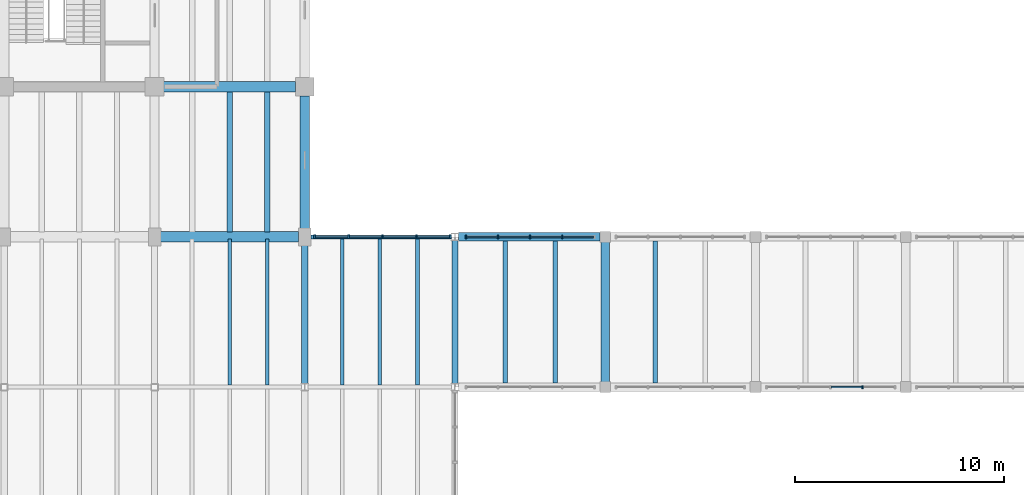
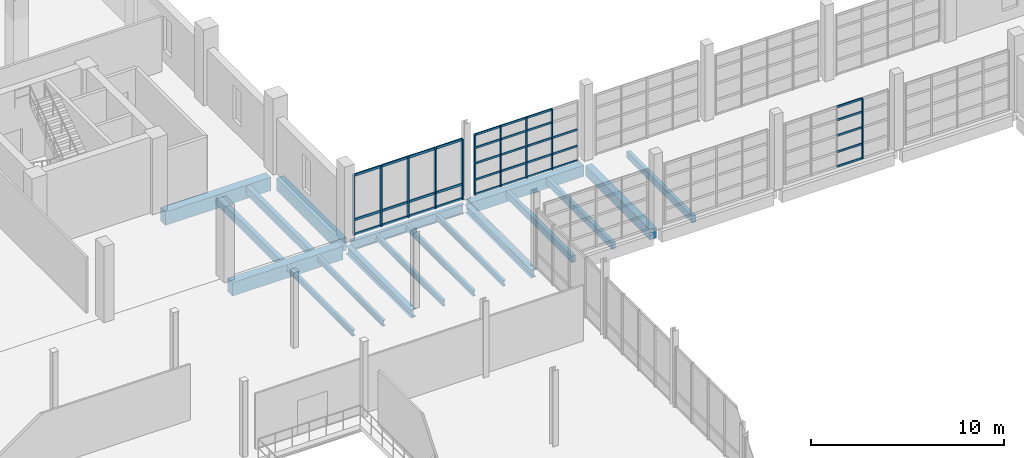
# One storey, part 39 of 77: 45 members, 18 beams, 3 elements without a shape of their own.
"""IFC4 building model written with IfcOpenShell, lengths in metres."""

from ifc_helpers import new_model, si_unit, direction, frame, origin, origin_2d, place, context, subcontext, project, spatial, rectangle, i_section, extrude, material, material_profile, profile_set, type_object, element, aggregate, save


model = new_model("IFC4")

# Units and contexts
model_context = context("Model", 3, precision=1e-05, world=origin(), true_north=direction((0.0, 1.0)))
body_context = subcontext(model_context, "Body", "Model", "MODEL_VIEW")
ifc_project = project(units=[si_unit("LENGTHUNIT", "METRE"), si_unit("AREAUNIT", "SQUARE_METRE"), si_unit("VOLUMEUNIT", "CUBIC_METRE"), si_unit("PLANEANGLEUNIT", "RADIAN"), si_unit("MASSUNIT", "GRAM", prefix="KILO")], contexts=[model_context])

# Site, building, storey
site_placement = place(None, origin())
site = spatial("IfcSite", under=ifc_project, at=site_placement, CompositionType="ELEMENT")
building_placement = place(site_placement, origin())
building = spatial("IfcBuilding", under=site, at=building_placement, Name="Qiaolan Assembly House", CompositionType="ELEMENT")
storey_placement = place(building_placement, frame((0.0, 0.0, 5.39990234375)))
storey = spatial("IfcBuildingStorey", under=building, at=storey_placement, Name="L01", CompositionType="ELEMENT", Elevation=5.39990234375)

# Beams
ifc_material_1 = material(Name="Concrete C40/50", Category="concrete")
ifc_material_profile_1 = material_profile(ifc_material_1, rectangle(XDim=0.39990234375, YDim=0.64990234375, at=origin_2d()), Name="RCB 400x650")
ifc_profile_set_1 = profile_set([ifc_material_profile_1], Name="Concrete C40/50")
beam_type_1 = type_object("IfcBeamType", Name="BM-RC-400x650", PredefinedType="BEAM", material=ifc_profile_set_1)
beam_1_placement = place(storey_placement, frame((115.199951171875, 79.449951171875, -0.594970703125), z_axis=(0.0, 1.0, 0.0), x_axis=(-1.0, 0.0, 0.0)))
element("IfcBeam", 1, at=beam_1_placement, inside=storey, type_object=beam_type_1, Name="GB-06 beam BMY-CLN-L01-01-00", PredefinedType="BEAM", context=body_context, shape_type="SweptSolid", body=[
    extrude(rectangle(XDim=0.39990234375, YDim=0.64990234375, at=origin_2d()), origin(), (0.0, 0.0, 1.0), 6.699951171875),
])
ifc_material_profile_2 = material_profile(ifc_material_1, rectangle(XDim=0.39990234375, YDim=0.699951171875, at=origin_2d()), Name="RCB 400x700")
ifc_profile_set_2 = profile_set([ifc_material_profile_2], Name="Concrete C40/50")
beam_type_2 = type_object("IfcBeamType", Name="BM-RC-400x700", PredefinedType="BEAM", material=ifc_profile_set_2)
beam_2_placement = place(storey_placement, frame((108.1650390625, 86.39990234375, -0.619873046875), z_axis=(1.0, 0.0, 0.0), x_axis=(0.0, 1.0, 0.0)))
element("IfcBeam", 2, at=beam_2_placement, inside=storey, type_object=beam_type_2, Name="GB-05 beam BMX-CLN-L01-00-01", PredefinedType="BEAM", context=body_context, shape_type="SweptSolid", body=[
    extrude(rectangle(XDim=0.39990234375, YDim=0.699951171875, at=origin_2d()), origin(), (0.0, 0.0, 1.0), 6.784912109375),
])
ifc_material_profile_3 = material_profile(ifc_material_1, rectangle(XDim=0.449951171875, YDim=0.800048828125, at=origin_2d()), Name="RCB 450x800")
ifc_profile_set_3 = profile_set([ifc_material_profile_3], Name="Concrete C40/50")
beam_type_3 = type_object("IfcBeamType", Name="BM-RC-450x800", PredefinedType="BEAM", material=ifc_profile_set_3)
beam_3_placement = place(storey_placement, frame((100.800048828125, 86.68994140625, -0.64990234375), z_axis=(0.0, 1.0, 0.0), x_axis=(-1.0, 0.0, 0.0)))
element("IfcBeam", 3, at=beam_3_placement, inside=storey, type_object=beam_type_3, Name="GB-03 beam BMY-NW-L01-09-00", PredefinedType="BEAM", context=body_context, shape_type="SweptSolid", body=[
    extrude(rectangle(XDim=0.449951171875, YDim=0.800048828125, at=origin_2d()), origin(), (0.0, 0.0, 1.0), 6.469970703125),
])
ifc_material_2 = material(Name="Concrete C45/55", Category="concrete")
ifc_material_profile_4 = material_profile(ifc_material_2, rectangle(XDim=0.5, YDim=0.85009765625, at=origin_2d()), Name="RCB 500x850")
ifc_profile_set_4 = profile_set([ifc_material_profile_4], Name="Concrete C45/55")
beam_type_4 = type_object("IfcBeamType", Name="BM-RC-500x850", PredefinedType="BEAM", material=ifc_profile_set_4)
beam_4_placement = place(storey_placement, frame((93.889892578125, 86.39990234375, -0.724853515625), z_axis=(1.0, 0.0, 0.0), x_axis=(0.0, 1.0, 0.0)))
element("IfcBeam", 4, at=beam_4_placement, inside=storey, type_object=beam_type_4, Name="GB-02 beam BMX-NW-L01-08-00", PredefinedType="BEAM", context=body_context, shape_type="SweptSolid", body=[
    extrude(rectangle(XDim=0.5, YDim=0.85009765625, at=origin_2d()), origin(), (0.0, 0.0, 1.0), 6.6201171875),
])
beam_5_placement = place(storey_placement, frame((94.0400390625, 93.60009765625, -0.6748046875), z_axis=(1.0, 0.0, 0.0), x_axis=(0.0, 1.0, 0.0)))
element("IfcBeam", 5, at=beam_5_placement, inside=storey, type_object=beam_type_4, Name="GB-02 beam BMX-NW-L01-08-01", PredefinedType="BEAM", context=body_context, shape_type="SweptSolid", body=[
    extrude(rectangle(XDim=0.5, YDim=0.85009765625, at=origin_2d()), origin(), (0.0, 0.0, 1.0), 6.320068359375),
])
ifc_material_3 = material(Name="Steel Q355B", Category="steel")
ifc_material_profile_5 = material_profile(ifc_material_3, i_section(OverallWidth=0.300048828125, OverallDepth=0.488037109375, WebThickness=0.010986328125, FlangeThickness=0.01806640625, FilletRadius=0.02001953125, at=origin_2d()), Name="HM 488x300x11x18")
ifc_profile_set_5 = profile_set([ifc_material_profile_5], Name="Steel Q355B")
beam_type_5 = type_object("IfcBeamType", Name="BM-STL-HM488", PredefinedType="BEAM", material=ifc_profile_set_5)
beam_6_placement = place(storey_placement, frame((100.800048828125, 79.364990234375, -0.5439453125), z_axis=(0.0, 1.0, 0.0), x_axis=(-1.0, 0.0, 0.0)))
element("IfcBeam", 6, at=beam_6_placement, inside=storey, type_object=beam_type_5, Name="SB-04 beam BMY-HL-L01-11-06", PredefinedType="BEAM", context=body_context, shape_type="SweptSolid", body=[
    extrude(i_section(OverallWidth=0.300048828125, OverallDepth=0.488037109375, WebThickness=0.010986328125, FlangeThickness=0.01806640625, FilletRadius=0.02001953125, at=origin_2d()), origin(), (0.0, 0.0, 1.0), 6.7451171875),
])
beam_7_placement = place(storey_placement, frame((108.0, 79.364990234375, -0.5439453125), z_axis=(0.0, 1.0, 0.0), x_axis=(-1.0, 0.0, 0.0)))
element("IfcBeam", 7, at=beam_7_placement, inside=storey, type_object=beam_type_5, Name="SB-04 beam BMY-HL-L01-12-06", PredefinedType="BEAM", context=body_context, shape_type="SweptSolid", body=[
    extrude(i_section(OverallWidth=0.300048828125, OverallDepth=0.488037109375, WebThickness=0.010986328125, FlangeThickness=0.01806640625, FilletRadius=0.02001953125, at=origin_2d()), origin(), (0.0, 0.0, 1.0), 6.8701171875),
])
ifc_material_profile_6 = material_profile(ifc_material_3, i_section(OverallWidth=0.199951171875, OverallDepth=0.60009765625, WebThickness=0.010986328125, FlangeThickness=0.01708984375, FilletRadius=0.02001953125, at=origin_2d()), Name="HN 600x200x11x17")
ifc_profile_set_6 = profile_set([ifc_material_profile_6], Name="Steel Q355B")
beam_type_6 = type_object("IfcBeamType", Name="BM-STL-HN600", PredefinedType="BEAM", material=ifc_profile_set_6)
beam_8_placement = place(storey_placement, frame((101.090087890625, 86.39990234375, -0.599853515625), z_axis=(1.0, 0.0, 0.0), x_axis=(0.0, 1.0, 0.0)))
element("IfcBeam", 8, at=beam_8_placement, inside=storey, type_object=beam_type_6, Name="SB-03 beam BMX-HL-L01-11-07", PredefinedType="BEAM", context=body_context, shape_type="SweptSolid", body=[
    extrude(i_section(OverallWidth=0.199951171875, OverallDepth=0.60009765625, WebThickness=0.010986328125, FlangeThickness=0.01708984375, FilletRadius=0.02001953125, at=origin_2d()), origin(), (0.0, 0.0, 1.0), 6.744873046875),
])

# Curtain wall, members
ifc_material_4 = material(Name="Anodised bronze aluminium", Category="aluminium")
curtain_wall_type_1 = type_object("IfcCurtainWallType", Name="CW-CLOISTER-420", PredefinedType="NOTDEFINED", material=ifc_material_4)
curtain_wall_1_placement = place(storey_placement, origin())
curtain_wall_1 = element("IfcCurtainWall", 9, at=curtain_wall_1_placement, inside=storey, type_object=curtain_wall_type_1, Name="CW-05 North Cloister outer arcade L01-1", PredefinedType="NOTDEFINED")
ifc_material_profile_7 = material_profile(ifc_material_4, rectangle(XDim=0.070068359375, YDim=0.155029296875, at=origin_2d()), Name="MUL 70x155")
ifc_profile_set_7 = profile_set([ifc_material_profile_7], Name="Anodised bronze aluminium")
member_type_1 = type_object("IfcMemberType", Name="CW-CLOISTER-420-MUL", PredefinedType="MULLION", material=ifc_profile_set_7)
member_1_placement = place(storey_placement, frame((113.139892578125, 86.39990234375, 0.0), z_axis=(0.0, 0.0, 1.0), x_axis=(-1.0, 0.0, 0.0)))
member_1 = element("IfcMember", 10, at=member_1_placement, type_object=member_type_1, Name="ML-06 mullion CW-CLN-OUT-L01-0-2", PredefinedType="MULLION", context=body_context, shape_type="SweptSolid", body=[
    extrude(rectangle(XDim=0.070068359375, YDim=0.155029296875, at=origin_2d()), origin(), (0.0, 0.0, 1.0), 3.820068359375),
])
member_2_placement = place(storey_placement, frame((111.60009765625, 86.39990234375, 0.0), z_axis=(0.0, 0.0, 1.0), x_axis=(-1.0, 0.0, 0.0)))
member_2 = element("IfcMember", 11, at=member_2_placement, type_object=member_type_1, Name="ML-06 mullion CW-CLN-OUT-L01-0-3", PredefinedType="MULLION", context=body_context, shape_type="SweptSolid", body=[
    extrude(rectangle(XDim=0.070068359375, YDim=0.155029296875, at=origin_2d()), origin(), (0.0, 0.0, 1.0), 3.820068359375),
])
member_3_placement = place(storey_placement, frame((110.06005859375, 86.39990234375, 0.0), z_axis=(0.0, 0.0, 1.0), x_axis=(-1.0, 0.0, 0.0)))
member_3 = element("IfcMember", 12, at=member_3_placement, type_object=member_type_1, Name="ML-06 mullion CW-CLN-OUT-L01-0-4", PredefinedType="MULLION", context=body_context, shape_type="SweptSolid", body=[
    extrude(rectangle(XDim=0.070068359375, YDim=0.155029296875, at=origin_2d()), origin(), (0.0, 0.0, 1.0), 3.820068359375),
])
member_4_placement = place(storey_placement, frame((108.52001953125, 86.39990234375, 0.0), z_axis=(0.0, 0.0, 1.0), x_axis=(-1.0, 0.0, 0.0)))
member_4 = element("IfcMember", 13, at=member_4_placement, type_object=member_type_1, Name="ML-06 mullion CW-CLN-OUT-L01-0-5", PredefinedType="MULLION", context=body_context, shape_type="SweptSolid", body=[
    extrude(rectangle(XDim=0.070068359375, YDim=0.155029296875, at=origin_2d()), origin(), (0.0, 0.0, 1.0), 3.820068359375),
])

# Curtain wall, member
curtain_wall_2_placement = place(storey_placement, origin())
curtain_wall_2 = element("IfcCurtainWall", 14, at=curtain_wall_2_placement, inside=storey, type_object=curtain_wall_type_1, Name="CW-05 North Cloister court arcade L01-3", PredefinedType="NOTDEFINED")
member_5_placement = place(storey_placement, frame((127.5400390625, 79.199951171875, 0.0), z_axis=(0.0, 0.0, 1.0), x_axis=(1.0, 0.0, 0.0)))
member_5 = element("IfcMember", 15, at=member_5_placement, type_object=member_type_1, Name="ML-06 mullion CW-CLN-CRT-L01-2-4", PredefinedType="MULLION", context=body_context, shape_type="SweptSolid", body=[
    extrude(rectangle(XDim=0.070068359375, YDim=0.155029296875, at=origin_2d()), origin(), (0.0, 0.0, 1.0), 3.820068359375),
])

# Member
ifc_material_profile_8 = material_profile(ifc_material_4, rectangle(XDim=0.06201171875, YDim=0.125, at=origin_2d()), Name="TRN 62x125")
ifc_profile_set_8 = profile_set([ifc_material_profile_8], Name="Anodised bronze aluminium")
member_type_2 = type_object("IfcMemberType", Name="CW-CLOISTER-420-TRN", PredefinedType="USERDEFINED", material=ifc_profile_set_8)
member_6_placement = place(storey_placement, frame((114.64501953125, 86.39990234375, 0.030029296875), z_axis=(-1.0, 0.0, 0.0), x_axis=(0.0, -1.0, 0.0)))
member_6 = element("IfcMember", 16, at=member_6_placement, type_object=member_type_2, Name="TR-06 transom CW-CLN-OUT-L01-0-1-1", ObjectType="TRANSOM", PredefinedType="USERDEFINED", context=body_context, shape_type="SweptSolid", body=[
    extrude(rectangle(XDim=0.06201171875, YDim=0.125, at=origin_2d()), origin(), (0.0, 0.0, 1.0), 1.469970703125),
])

member_7_placement = place(storey_placement, frame((114.64501953125, 86.39990234375, 0.9501953125), z_axis=(-1.0, 0.0, 0.0), x_axis=(0.0, -1.0, 0.0)))
member_7 = element("IfcMember", 17, at=member_7_placement, type_object=member_type_2, Name="TR-06 transom CW-CLN-OUT-L01-0-1-2", ObjectType="TRANSOM", PredefinedType="USERDEFINED", context=body_context, shape_type="SweptSolid", body=[
    extrude(rectangle(XDim=0.06201171875, YDim=0.125, at=origin_2d()), origin(), (0.0, 0.0, 1.0), 1.469970703125),
])

member_8_placement = place(storey_placement, frame((114.64501953125, 86.39990234375, 1.986572265625), z_axis=(-1.0, 0.0, 0.0), x_axis=(0.0, -1.0, 0.0)))
member_8 = element("IfcMember", 18, at=member_8_placement, type_object=member_type_2, Name="TR-06 transom CW-CLN-OUT-L01-0-1-3", ObjectType="TRANSOM", PredefinedType="USERDEFINED", context=body_context, shape_type="SweptSolid", body=[
    extrude(rectangle(XDim=0.06201171875, YDim=0.125, at=origin_2d()), origin(), (0.0, 0.0, 1.0), 1.469970703125),
])

member_9_placement = place(storey_placement, frame((113.10498046875, 86.39990234375, 0.030029296875), z_axis=(-1.0, 0.0, 0.0), x_axis=(0.0, -1.0, 0.0)))
member_9 = element("IfcMember", 19, at=member_9_placement, type_object=member_type_2, Name="TR-06 transom CW-CLN-OUT-L01-0-2-1", ObjectType="TRANSOM", PredefinedType="USERDEFINED", context=body_context, shape_type="SweptSolid", body=[
    extrude(rectangle(XDim=0.06201171875, YDim=0.125, at=origin_2d()), origin(), (0.0, 0.0, 1.0), 1.469970703125),
])

member_10_placement = place(storey_placement, frame((113.10498046875, 86.39990234375, 0.9501953125), z_axis=(-1.0, 0.0, 0.0), x_axis=(0.0, -1.0, 0.0)))
member_10 = element("IfcMember", 20, at=member_10_placement, type_object=member_type_2, Name="TR-06 transom CW-CLN-OUT-L01-0-2-2", ObjectType="TRANSOM", PredefinedType="USERDEFINED", context=body_context, shape_type="SweptSolid", body=[
    extrude(rectangle(XDim=0.06201171875, YDim=0.125, at=origin_2d()), origin(), (0.0, 0.0, 1.0), 1.469970703125),
])

member_11_placement = place(storey_placement, frame((113.10498046875, 86.39990234375, 1.986572265625), z_axis=(-1.0, 0.0, 0.0), x_axis=(0.0, -1.0, 0.0)))
member_11 = element("IfcMember", 21, at=member_11_placement, type_object=member_type_2, Name="TR-06 transom CW-CLN-OUT-L01-0-2-3", ObjectType="TRANSOM", PredefinedType="USERDEFINED", context=body_context, shape_type="SweptSolid", body=[
    extrude(rectangle(XDim=0.06201171875, YDim=0.125, at=origin_2d()), origin(), (0.0, 0.0, 1.0), 1.469970703125),
])

member_12_placement = place(storey_placement, frame((113.10498046875, 86.39990234375, 2.97021484375), z_axis=(-1.0, 0.0, 0.0), x_axis=(0.0, -1.0, 0.0)))
member_12 = element("IfcMember", 22, at=member_12_placement, type_object=member_type_2, Name="TR-06 transom CW-CLN-OUT-L01-0-2-4", ObjectType="TRANSOM", PredefinedType="USERDEFINED", context=body_context, shape_type="SweptSolid", body=[
    extrude(rectangle(XDim=0.06201171875, YDim=0.125, at=origin_2d()), origin(), (0.0, 0.0, 1.0), 1.469970703125),
])

member_13_placement = place(storey_placement, frame((113.10498046875, 86.39990234375, 3.7900390625), z_axis=(-1.0, 0.0, 0.0), x_axis=(0.0, -1.0, 0.0)))
member_13 = element("IfcMember", 23, at=member_13_placement, type_object=member_type_2, Name="TR-06 transom CW-CLN-OUT-L01-0-2-5", ObjectType="TRANSOM", PredefinedType="USERDEFINED", context=body_context, shape_type="SweptSolid", body=[
    extrude(rectangle(XDim=0.06201171875, YDim=0.125, at=origin_2d()), origin(), (0.0, 0.0, 1.0), 1.469970703125),
])

member_14_placement = place(storey_placement, frame((111.56494140625, 86.39990234375, 0.030029296875), z_axis=(-1.0, 0.0, 0.0), x_axis=(0.0, -1.0, 0.0)))
member_14 = element("IfcMember", 24, at=member_14_placement, type_object=member_type_2, Name="TR-06 transom CW-CLN-OUT-L01-0-3-1", ObjectType="TRANSOM", PredefinedType="USERDEFINED", context=body_context, shape_type="SweptSolid", body=[
    extrude(rectangle(XDim=0.06201171875, YDim=0.125, at=origin_2d()), origin(), (0.0, 0.0, 1.0), 1.469970703125),
])

member_15_placement = place(storey_placement, frame((111.56494140625, 86.39990234375, 0.9501953125), z_axis=(-1.0, 0.0, 0.0), x_axis=(0.0, -1.0, 0.0)))
member_15 = element("IfcMember", 25, at=member_15_placement, type_object=member_type_2, Name="TR-06 transom CW-CLN-OUT-L01-0-3-2", ObjectType="TRANSOM", PredefinedType="USERDEFINED", context=body_context, shape_type="SweptSolid", body=[
    extrude(rectangle(XDim=0.06201171875, YDim=0.125, at=origin_2d()), origin(), (0.0, 0.0, 1.0), 1.469970703125),
])

member_16_placement = place(storey_placement, frame((111.56494140625, 86.39990234375, 1.986572265625), z_axis=(-1.0, 0.0, 0.0), x_axis=(0.0, -1.0, 0.0)))
member_16 = element("IfcMember", 26, at=member_16_placement, type_object=member_type_2, Name="TR-06 transom CW-CLN-OUT-L01-0-3-3", ObjectType="TRANSOM", PredefinedType="USERDEFINED", context=body_context, shape_type="SweptSolid", body=[
    extrude(rectangle(XDim=0.06201171875, YDim=0.125, at=origin_2d()), origin(), (0.0, 0.0, 1.0), 1.469970703125),
])

member_17_placement = place(storey_placement, frame((111.56494140625, 86.39990234375, 2.97021484375), z_axis=(-1.0, 0.0, 0.0), x_axis=(0.0, -1.0, 0.0)))
member_17 = element("IfcMember", 27, at=member_17_placement, type_object=member_type_2, Name="TR-06 transom CW-CLN-OUT-L01-0-3-4", ObjectType="TRANSOM", PredefinedType="USERDEFINED", context=body_context, shape_type="SweptSolid", body=[
    extrude(rectangle(XDim=0.06201171875, YDim=0.125, at=origin_2d()), origin(), (0.0, 0.0, 1.0), 1.469970703125),
])

member_18_placement = place(storey_placement, frame((111.56494140625, 86.39990234375, 3.7900390625), z_axis=(-1.0, 0.0, 0.0), x_axis=(0.0, -1.0, 0.0)))
member_18 = element("IfcMember", 28, at=member_18_placement, type_object=member_type_2, Name="TR-06 transom CW-CLN-OUT-L01-0-3-5", ObjectType="TRANSOM", PredefinedType="USERDEFINED", context=body_context, shape_type="SweptSolid", body=[
    extrude(rectangle(XDim=0.06201171875, YDim=0.125, at=origin_2d()), origin(), (0.0, 0.0, 1.0), 1.469970703125),
])

member_19_placement = place(storey_placement, frame((110.02490234375, 86.39990234375, 0.030029296875), z_axis=(-1.0, 0.0, 0.0), x_axis=(0.0, -1.0, 0.0)))
member_19 = element("IfcMember", 29, at=member_19_placement, type_object=member_type_2, Name="TR-06 transom CW-CLN-OUT-L01-0-4-1", ObjectType="TRANSOM", PredefinedType="USERDEFINED", context=body_context, shape_type="SweptSolid", body=[
    extrude(rectangle(XDim=0.06201171875, YDim=0.125, at=origin_2d()), origin(), (0.0, 0.0, 1.0), 1.469970703125),
])

member_20_placement = place(storey_placement, frame((110.02490234375, 86.39990234375, 0.9501953125), z_axis=(-1.0, 0.0, 0.0), x_axis=(0.0, -1.0, 0.0)))
member_20 = element("IfcMember", 30, at=member_20_placement, type_object=member_type_2, Name="TR-06 transom CW-CLN-OUT-L01-0-4-2", ObjectType="TRANSOM", PredefinedType="USERDEFINED", context=body_context, shape_type="SweptSolid", body=[
    extrude(rectangle(XDim=0.06201171875, YDim=0.125, at=origin_2d()), origin(), (0.0, 0.0, 1.0), 1.469970703125),
])

member_21_placement = place(storey_placement, frame((110.02490234375, 86.39990234375, 1.986572265625), z_axis=(-1.0, 0.0, 0.0), x_axis=(0.0, -1.0, 0.0)))
member_21 = element("IfcMember", 31, at=member_21_placement, type_object=member_type_2, Name="TR-06 transom CW-CLN-OUT-L01-0-4-3", ObjectType="TRANSOM", PredefinedType="USERDEFINED", context=body_context, shape_type="SweptSolid", body=[
    extrude(rectangle(XDim=0.06201171875, YDim=0.125, at=origin_2d()), origin(), (0.0, 0.0, 1.0), 1.469970703125),
])

member_22_placement = place(storey_placement, frame((110.02490234375, 86.39990234375, 2.97021484375), z_axis=(-1.0, 0.0, 0.0), x_axis=(0.0, -1.0, 0.0)))
member_22 = element("IfcMember", 32, at=member_22_placement, type_object=member_type_2, Name="TR-06 transom CW-CLN-OUT-L01-0-4-4", ObjectType="TRANSOM", PredefinedType="USERDEFINED", context=body_context, shape_type="SweptSolid", body=[
    extrude(rectangle(XDim=0.06201171875, YDim=0.125, at=origin_2d()), origin(), (0.0, 0.0, 1.0), 1.469970703125),
])

member_23_placement = place(storey_placement, frame((110.02490234375, 86.39990234375, 3.7900390625), z_axis=(-1.0, 0.0, 0.0), x_axis=(0.0, -1.0, 0.0)))
member_23 = element("IfcMember", 33, at=member_23_placement, type_object=member_type_2, Name="TR-06 transom CW-CLN-OUT-L01-0-4-5", ObjectType="TRANSOM", PredefinedType="USERDEFINED", context=body_context, shape_type="SweptSolid", body=[
    extrude(rectangle(XDim=0.06201171875, YDim=0.125, at=origin_2d()), origin(), (0.0, 0.0, 1.0), 1.469970703125),
])

aggregate(curtain_wall_1, [member_1, member_2, member_3, member_4, member_6, member_7, member_8, member_9, member_10, member_11, member_12, member_13, member_14, member_15, member_16, member_17, member_18, member_19, member_20, member_21, member_22, member_23])

member_24_placement = place(storey_placement, frame((126.034912109375, 79.199951171875, 0.030029296875), z_axis=(1.0, 0.0, 0.0), x_axis=(0.0, 1.0, 0.0)))
member_24 = element("IfcMember", 34, at=member_24_placement, type_object=member_type_2, Name="TR-06 transom CW-CLN-CRT-L01-2-3-1", ObjectType="TRANSOM", PredefinedType="USERDEFINED", context=body_context, shape_type="SweptSolid", body=[
    extrude(rectangle(XDim=0.06201171875, YDim=0.125, at=origin_2d()), origin(), (0.0, 0.0, 1.0), 1.469970703125),
])

member_25_placement = place(storey_placement, frame((126.034912109375, 79.199951171875, 0.9501953125), z_axis=(1.0, 0.0, 0.0), x_axis=(0.0, 1.0, 0.0)))
member_25 = element("IfcMember", 35, at=member_25_placement, type_object=member_type_2, Name="TR-06 transom CW-CLN-CRT-L01-2-3-2", ObjectType="TRANSOM", PredefinedType="USERDEFINED", context=body_context, shape_type="SweptSolid", body=[
    extrude(rectangle(XDim=0.06201171875, YDim=0.125, at=origin_2d()), origin(), (0.0, 0.0, 1.0), 1.469970703125),
])

member_26_placement = place(storey_placement, frame((126.034912109375, 79.199951171875, 1.986572265625), z_axis=(1.0, 0.0, 0.0), x_axis=(0.0, 1.0, 0.0)))
member_26 = element("IfcMember", 36, at=member_26_placement, type_object=member_type_2, Name="TR-06 transom CW-CLN-CRT-L01-2-3-3", ObjectType="TRANSOM", PredefinedType="USERDEFINED", context=body_context, shape_type="SweptSolid", body=[
    extrude(rectangle(XDim=0.06201171875, YDim=0.125, at=origin_2d()), origin(), (0.0, 0.0, 1.0), 1.469970703125),
])

member_27_placement = place(storey_placement, frame((126.034912109375, 79.199951171875, 2.97021484375), z_axis=(1.0, 0.0, 0.0), x_axis=(0.0, 1.0, 0.0)))
member_27 = element("IfcMember", 37, at=member_27_placement, type_object=member_type_2, Name="TR-06 transom CW-CLN-CRT-L01-2-3-4", ObjectType="TRANSOM", PredefinedType="USERDEFINED", context=body_context, shape_type="SweptSolid", body=[
    extrude(rectangle(XDim=0.06201171875, YDim=0.125, at=origin_2d()), origin(), (0.0, 0.0, 1.0), 1.469970703125),
])

member_28_placement = place(storey_placement, frame((126.034912109375, 79.199951171875, 3.7900390625), z_axis=(1.0, 0.0, 0.0), x_axis=(0.0, 1.0, 0.0)))
member_28 = element("IfcMember", 38, at=member_28_placement, type_object=member_type_2, Name="TR-06 transom CW-CLN-CRT-L01-2-3-5", ObjectType="TRANSOM", PredefinedType="USERDEFINED", context=body_context, shape_type="SweptSolid", body=[
    extrude(rectangle(XDim=0.06201171875, YDim=0.125, at=origin_2d()), origin(), (0.0, 0.0, 1.0), 1.469970703125),
])

aggregate(curtain_wall_2, [member_5, member_24, member_25, member_26, member_27, member_28])

# Curtain wall, members
curtain_wall_type_2 = type_object("IfcCurtainWallType", Name="CW-HALL-UPPER-480", PredefinedType="NOTDEFINED", material=ifc_material_4)
curtain_wall_3_placement = place(storey_placement, origin())
curtain_wall_3 = element("IfcCurtainWall", 39, at=curtain_wall_3_placement, inside=storey, type_object=curtain_wall_type_2, Name="CW-02 Hall North-East link CW L01", PredefinedType="NOTDEFINED")
ifc_material_profile_9 = material_profile(ifc_material_4, rectangle(XDim=0.0859375, YDim=0.199951171875, at=origin_2d()), Name="MUL 86x200")
ifc_profile_set_9 = profile_set([ifc_material_profile_9], Name="Anodised bronze aluminium")
member_type_3 = type_object("IfcMemberType", Name="CW-HALL-UPPER-480-MUL", PredefinedType="MULLION", material=ifc_profile_set_9)
member_29_placement = place(storey_placement, frame((107.780029296875, 86.39990234375, 0.0), z_axis=(0.0, 0.0, 1.0), x_axis=(-1.0, 0.0, 0.0)))
member_29 = element("IfcMember", 40, at=member_29_placement, type_object=member_type_3, Name="ML-02 mullion CW-HALL-NEJ-L01-1", PredefinedType="MULLION", context=body_context, shape_type="SweptSolid", body=[
    extrude(rectangle(XDim=0.0859375, YDim=0.199951171875, at=origin_2d()), origin(), (0.0, 0.0, 1.0), 3.800048828125),
])
member_30_placement = place(storey_placement, frame((106.155029296875, 86.39990234375, 0.0), z_axis=(0.0, 0.0, 1.0), x_axis=(-1.0, 0.0, 0.0)))
member_30 = element("IfcMember", 41, at=member_30_placement, type_object=member_type_3, Name="ML-02 mullion CW-HALL-NEJ-L01-2", PredefinedType="MULLION", context=body_context, shape_type="SweptSolid", body=[
    extrude(rectangle(XDim=0.0859375, YDim=0.199951171875, at=origin_2d()), origin(), (0.0, 0.0, 1.0), 3.800048828125),
])
member_31_placement = place(storey_placement, frame((104.530029296875, 86.39990234375, 0.0), z_axis=(0.0, 0.0, 1.0), x_axis=(-1.0, 0.0, 0.0)))
member_31 = element("IfcMember", 42, at=member_31_placement, type_object=member_type_3, Name="ML-02 mullion CW-HALL-NEJ-L01-3", PredefinedType="MULLION", context=body_context, shape_type="SweptSolid", body=[
    extrude(rectangle(XDim=0.0859375, YDim=0.199951171875, at=origin_2d()), origin(), (0.0, 0.0, 1.0), 3.800048828125),
])
member_32_placement = place(storey_placement, frame((102.905029296875, 86.39990234375, 0.0), z_axis=(0.0, 0.0, 1.0), x_axis=(-1.0, 0.0, 0.0)))
member_32 = element("IfcMember", 43, at=member_32_placement, type_object=member_type_3, Name="ML-02 mullion CW-HALL-NEJ-L01-4", PredefinedType="MULLION", context=body_context, shape_type="SweptSolid", body=[
    extrude(rectangle(XDim=0.0859375, YDim=0.199951171875, at=origin_2d()), origin(), (0.0, 0.0, 1.0), 3.800048828125),
])
member_33_placement = place(storey_placement, frame((101.280029296875, 86.39990234375, 0.0), z_axis=(0.0, 0.0, 1.0), x_axis=(-1.0, 0.0, 0.0)))
member_33 = element("IfcMember", 44, at=member_33_placement, type_object=member_type_3, Name="ML-02 mullion CW-HALL-NEJ-L01-5", PredefinedType="MULLION", context=body_context, shape_type="SweptSolid", body=[
    extrude(rectangle(XDim=0.0859375, YDim=0.199951171875, at=origin_2d()), origin(), (0.0, 0.0, 1.0), 3.800048828125),
])
ifc_material_profile_10 = material_profile(ifc_material_4, rectangle(XDim=0.075927734375, YDim=0.14990234375, at=origin_2d()), Name="TRN 76x150")
ifc_profile_set_10 = profile_set([ifc_material_profile_10], Name="Anodised bronze aluminium")
member_type_4 = type_object("IfcMemberType", Name="CW-HALL-UPPER-480-TRN", PredefinedType="USERDEFINED", material=ifc_profile_set_10)
member_34_placement = place(storey_placement, frame((107.737060546875, 86.39990234375, 0.030029296875), z_axis=(-1.0, 0.0, 0.0), x_axis=(0.0, -1.0, 0.0)))
member_34 = element("IfcMember", 45, at=member_34_placement, type_object=member_type_4, Name="TR-02 transom CW-HALL-NEJ-L01-1-1", ObjectType="TRANSOM", PredefinedType="USERDEFINED", context=body_context, shape_type="SweptSolid", body=[
    extrude(rectangle(XDim=0.075927734375, YDim=0.14990234375, at=origin_2d()), origin(), (0.0, 0.0, 1.0), 1.5390625),
])
member_35_placement = place(storey_placement, frame((107.737060546875, 86.39990234375, 0.9501953125), z_axis=(-1.0, 0.0, 0.0), x_axis=(0.0, -1.0, 0.0)))
member_35 = element("IfcMember", 46, at=member_35_placement, type_object=member_type_4, Name="TR-02 transom CW-HALL-NEJ-L01-1-2", ObjectType="TRANSOM", PredefinedType="USERDEFINED", context=body_context, shape_type="SweptSolid", body=[
    extrude(rectangle(XDim=0.075927734375, YDim=0.14990234375, at=origin_2d()), origin(), (0.0, 0.0, 1.0), 1.5390625),
])
member_36_placement = place(storey_placement, frame((107.737060546875, 86.39990234375, 3.77001953125), z_axis=(-1.0, 0.0, 0.0), x_axis=(0.0, -1.0, 0.0)))
member_36 = element("IfcMember", 47, at=member_36_placement, type_object=member_type_4, Name="TR-02 transom CW-HALL-NEJ-L01-1-3", ObjectType="TRANSOM", PredefinedType="USERDEFINED", context=body_context, shape_type="SweptSolid", body=[
    extrude(rectangle(XDim=0.075927734375, YDim=0.14990234375, at=origin_2d()), origin(), (0.0, 0.0, 1.0), 1.5390625),
])
member_37_placement = place(storey_placement, frame((106.112060546875, 86.39990234375, 0.030029296875), z_axis=(-1.0, 0.0, 0.0), x_axis=(0.0, -1.0, 0.0)))
member_37 = element("IfcMember", 48, at=member_37_placement, type_object=member_type_4, Name="TR-02 transom CW-HALL-NEJ-L01-2-1", ObjectType="TRANSOM", PredefinedType="USERDEFINED", context=body_context, shape_type="SweptSolid", body=[
    extrude(rectangle(XDim=0.075927734375, YDim=0.14990234375, at=origin_2d()), origin(), (0.0, 0.0, 1.0), 1.5390625),
])
member_38_placement = place(storey_placement, frame((106.112060546875, 86.39990234375, 0.9501953125), z_axis=(-1.0, 0.0, 0.0), x_axis=(0.0, -1.0, 0.0)))
member_38 = element("IfcMember", 49, at=member_38_placement, type_object=member_type_4, Name="TR-02 transom CW-HALL-NEJ-L01-2-2", ObjectType="TRANSOM", PredefinedType="USERDEFINED", context=body_context, shape_type="SweptSolid", body=[
    extrude(rectangle(XDim=0.075927734375, YDim=0.14990234375, at=origin_2d()), origin(), (0.0, 0.0, 1.0), 1.5390625),
])
member_39_placement = place(storey_placement, frame((106.112060546875, 86.39990234375, 3.77001953125), z_axis=(-1.0, 0.0, 0.0), x_axis=(0.0, -1.0, 0.0)))
member_39 = element("IfcMember", 50, at=member_39_placement, type_object=member_type_4, Name="TR-02 transom CW-HALL-NEJ-L01-2-3", ObjectType="TRANSOM", PredefinedType="USERDEFINED", context=body_context, shape_type="SweptSolid", body=[
    extrude(rectangle(XDim=0.075927734375, YDim=0.14990234375, at=origin_2d()), origin(), (0.0, 0.0, 1.0), 1.5390625),
])
member_40_placement = place(storey_placement, frame((104.487060546875, 86.39990234375, 0.030029296875), z_axis=(-1.0, 0.0, 0.0), x_axis=(0.0, -1.0, 0.0)))
member_40 = element("IfcMember", 51, at=member_40_placement, type_object=member_type_4, Name="TR-02 transom CW-HALL-NEJ-L01-3-1", ObjectType="TRANSOM", PredefinedType="USERDEFINED", context=body_context, shape_type="SweptSolid", body=[
    extrude(rectangle(XDim=0.075927734375, YDim=0.14990234375, at=origin_2d()), origin(), (0.0, 0.0, 1.0), 1.5390625),
])
member_41_placement = place(storey_placement, frame((104.487060546875, 86.39990234375, 0.9501953125), z_axis=(-1.0, 0.0, 0.0), x_axis=(0.0, -1.0, 0.0)))
member_41 = element("IfcMember", 52, at=member_41_placement, type_object=member_type_4, Name="TR-02 transom CW-HALL-NEJ-L01-3-2", ObjectType="TRANSOM", PredefinedType="USERDEFINED", context=body_context, shape_type="SweptSolid", body=[
    extrude(rectangle(XDim=0.075927734375, YDim=0.14990234375, at=origin_2d()), origin(), (0.0, 0.0, 1.0), 1.5390625),
])
member_42_placement = place(storey_placement, frame((104.487060546875, 86.39990234375, 3.77001953125), z_axis=(-1.0, 0.0, 0.0), x_axis=(0.0, -1.0, 0.0)))
member_42 = element("IfcMember", 53, at=member_42_placement, type_object=member_type_4, Name="TR-02 transom CW-HALL-NEJ-L01-3-3", ObjectType="TRANSOM", PredefinedType="USERDEFINED", context=body_context, shape_type="SweptSolid", body=[
    extrude(rectangle(XDim=0.075927734375, YDim=0.14990234375, at=origin_2d()), origin(), (0.0, 0.0, 1.0), 1.5390625),
])
member_43_placement = place(storey_placement, frame((102.862060546875, 86.39990234375, 0.030029296875), z_axis=(-1.0, 0.0, 0.0), x_axis=(0.0, -1.0, 0.0)))
member_43 = element("IfcMember", 54, at=member_43_placement, type_object=member_type_4, Name="TR-02 transom CW-HALL-NEJ-L01-4-1", ObjectType="TRANSOM", PredefinedType="USERDEFINED", context=body_context, shape_type="SweptSolid", body=[
    extrude(rectangle(XDim=0.075927734375, YDim=0.14990234375, at=origin_2d()), origin(), (0.0, 0.0, 1.0), 1.5390625),
])
member_44_placement = place(storey_placement, frame((102.862060546875, 86.39990234375, 0.9501953125), z_axis=(-1.0, 0.0, 0.0), x_axis=(0.0, -1.0, 0.0)))
member_44 = element("IfcMember", 55, at=member_44_placement, type_object=member_type_4, Name="TR-02 transom CW-HALL-NEJ-L01-4-2", ObjectType="TRANSOM", PredefinedType="USERDEFINED", context=body_context, shape_type="SweptSolid", body=[
    extrude(rectangle(XDim=0.075927734375, YDim=0.14990234375, at=origin_2d()), origin(), (0.0, 0.0, 1.0), 1.5390625),
])
member_45_placement = place(storey_placement, frame((102.862060546875, 86.39990234375, 3.77001953125), z_axis=(-1.0, 0.0, 0.0), x_axis=(0.0, -1.0, 0.0)))
member_45 = element("IfcMember", 56, at=member_45_placement, type_object=member_type_4, Name="TR-02 transom CW-HALL-NEJ-L01-4-3", ObjectType="TRANSOM", PredefinedType="USERDEFINED", context=body_context, shape_type="SweptSolid", body=[
    extrude(rectangle(XDim=0.075927734375, YDim=0.14990234375, at=origin_2d()), origin(), (0.0, 0.0, 1.0), 1.5390625),
])
aggregate(curtain_wall_3, [member_29, member_30, member_31, member_32, member_33, member_34, member_35, member_36, member_37, member_38, member_39, member_40, member_41, member_42, member_43, member_44, member_45])

# Beams
ifc_material_profile_11 = material_profile(ifc_material_1, rectangle(XDim=0.219970703125, YDim=0.419921875, at=origin_2d()), Name="RCB 220x420")
ifc_profile_set_11 = profile_set([ifc_material_profile_11], Name="Concrete C40/50")
beam_type_7 = type_object("IfcBeamType", Name="JST-RC-220x420", PredefinedType="JOIST", material=ifc_profile_set_11)
for number, where, z_axis, x_axis, name in (
    (57, (110.39990234375, 79.39404296875, -0.47998046875), (0.0, 1.0, 0.0), (-1.0, 0.0, 0.0), "RJ-03 beam JST-CLN-L01-00-00-1"),
    (58, (112.800048828125, 79.39404296875, -0.47998046875), (0.0, 1.0, 0.0), (-1.0, 0.0, 0.0), "RJ-03 beam JST-CLN-L01-00-00-2"),
    (59, (117.60009765625, 79.39404296875, -0.47998046875), (0.0, 1.0, 0.0), (-1.0, 0.0, 0.0), "RJ-03 beam JST-CLN-L01-01-00-1"),
):
    element("IfcBeam", number, at=place(storey_placement, frame(where, z_axis=z_axis, x_axis=x_axis)), inside=storey, type_object=beam_type_7, Name=name, PredefinedType="JOIST", context=body_context, shape_type="SweptSolid", body=[
        extrude(rectangle(XDim=0.219970703125, YDim=0.419921875, at=origin_2d()), origin(), (0.0, 0.0, 1.0), 6.81201171875),
    ])
ifc_material_profile_12 = material_profile(ifc_material_1, rectangle(XDim=0.260009765625, YDim=0.52001953125, at=origin_2d()), Name="RCB 260x520")
ifc_profile_set_12 = profile_set([ifc_material_profile_12], Name="Concrete C40/50")
beam_type_8 = type_object("IfcBeamType", Name="JST-RC-260x520", PredefinedType="JOIST", material=ifc_profile_set_12)
for number, where, z_axis, x_axis, name in (
    (60, (97.199951171875, 86.64404296875, -0.559814453125), (0.0, 1.0, 0.0), (-1.0, 0.0, 0.0), "RJ-07 beam JST-NW-L01-08-00-2"),
    (61, (99.0, 86.64404296875, -0.559814453125), (0.0, 1.0, 0.0), (-1.0, 0.0, 0.0), "RJ-07 beam JST-NW-L01-08-00-3"),
):
    element("IfcBeam", number, at=place(storey_placement, frame(where, z_axis=z_axis, x_axis=x_axis)), inside=storey, type_object=beam_type_8, Name=name, PredefinedType="JOIST", context=body_context, shape_type="SweptSolid", body=[
        extrude(rectangle(XDim=0.260009765625, YDim=0.52001953125, at=origin_2d()), origin(), (0.0, 0.0, 1.0), 6.7119140625),
    ])
ifc_material_profile_13 = material_profile(ifc_material_3, i_section(OverallWidth=0.179931640625, OverallDepth=0.360107421875, WebThickness=0.008056640625, FlangeThickness=0.011962890625, FilletRadius=0.013916015625, at=origin_2d()), Name="HN 360x180x8x12")
ifc_profile_set_13 = profile_set([ifc_material_profile_13], Name="Steel Q355B")
beam_type_9 = type_object("IfcBeamType", Name="JST-STL-HN360", PredefinedType="JOIST", material=ifc_profile_set_13)
for number, where, z_axis, x_axis, name in (
    (62, (97.199951171875, 79.2939453125, -0.47998046875), (0.0, 1.0, 0.0), (-1.0, 0.0, 0.0), "SJ-06 beam JST-HL-L01-10-06-2"),
    (63, (99.0, 79.2939453125, -0.47998046875), (0.0, 1.0, 0.0), (-1.0, 0.0, 0.0), "SJ-06 beam JST-HL-L01-10-06-3"),
    (64, (102.60009765625, 79.2939453125, -0.47998046875), (0.0, 1.0, 0.0), (-1.0, 0.0, 0.0), "SJ-06 beam JST-HL-L01-11-06-1"),
    (65, (104.39990234375, 79.2939453125, -0.47998046875), (0.0, 1.0, 0.0), (-1.0, 0.0, 0.0), "SJ-06 beam JST-HL-L01-11-06-2"),
    (66, (106.199951171875, 79.2939453125, -0.47998046875), (0.0, 1.0, 0.0), (-1.0, 0.0, 0.0), "SJ-06 beam JST-HL-L01-11-06-3"),
):
    element("IfcBeam", number, at=place(storey_placement, frame(where, z_axis=z_axis, x_axis=x_axis)), inside=storey, type_object=beam_type_9, Name=name, PredefinedType="JOIST", context=body_context, shape_type="SweptSolid", body=[
        extrude(i_section(OverallWidth=0.179931640625, OverallDepth=0.360107421875, WebThickness=0.008056640625, FlangeThickness=0.011962890625, FilletRadius=0.013916015625, at=origin_2d()), origin(), (0.0, 0.0, 1.0), 7.011962890625),
    ])

save(model, "model.ifc")
